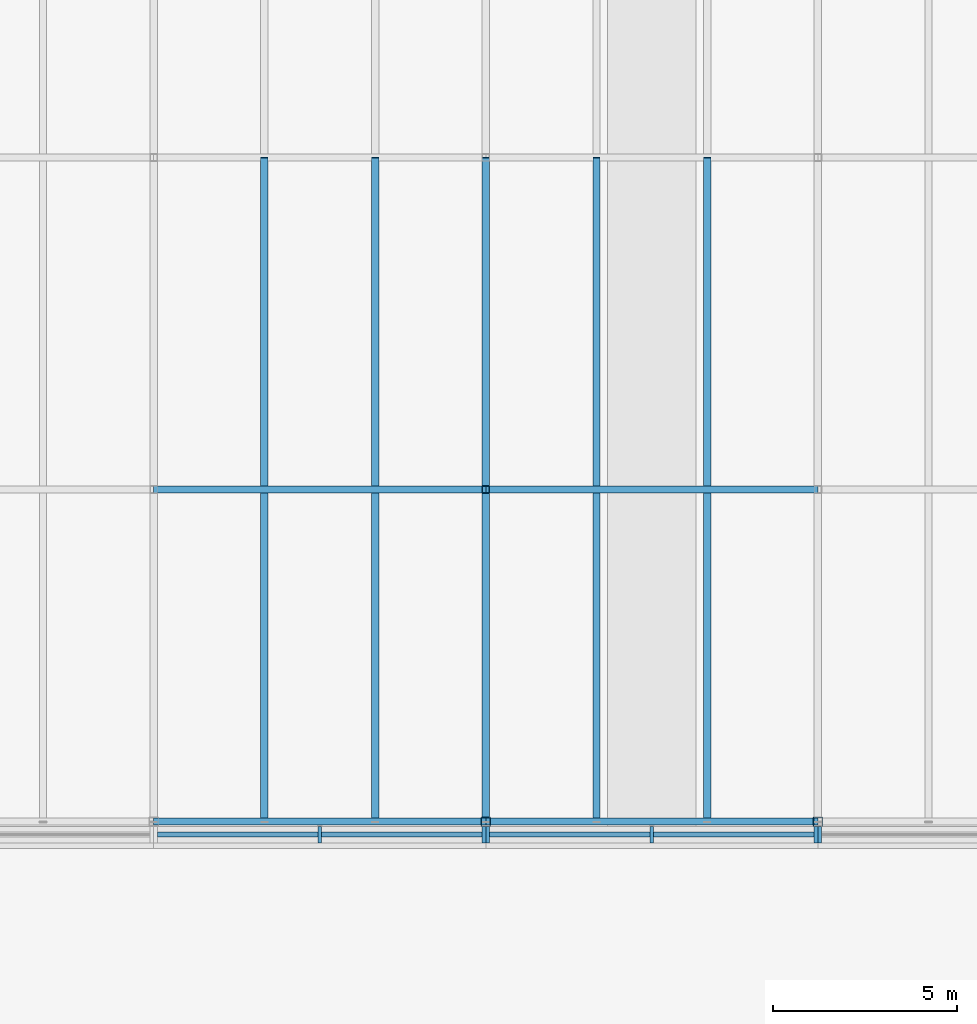
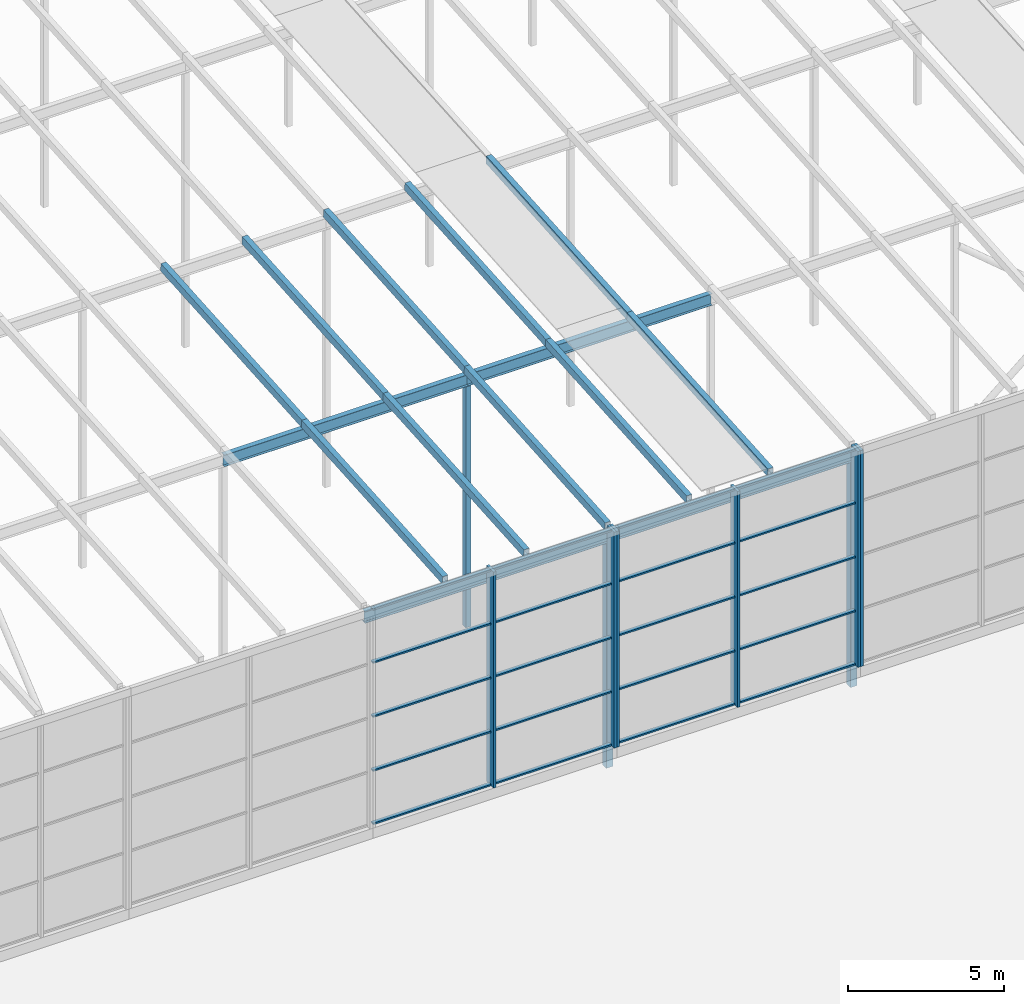
# One storey, part 6 of 84: 39 members, 4 beams, 3 elements without a shape of their own.
"""IFC4 building model written with IfcOpenShell, lengths in metres."""

from ifc_helpers import new_model, si_unit, direction, frame, origin, origin_2d, place, context, subcontext, project, spatial, rectangle, hollow_rectangle, i_section, extrude, material, material_profile, profile_set, type_object, element, aggregate, save


model = new_model("IFC4")

# Units and contexts
model_context = context("Model", 3, precision=1e-05, world=origin(), true_north=direction((0.0, 1.0)))
body_context = subcontext(model_context, "Body", "Model", "MODEL_VIEW")
ifc_project = project(units=[si_unit("LENGTHUNIT", "METRE"), si_unit("AREAUNIT", "SQUARE_METRE"), si_unit("VOLUMEUNIT", "CUBIC_METRE"), si_unit("PLANEANGLEUNIT", "RADIAN"), si_unit("MASSUNIT", "GRAM", prefix="KILO")], contexts=[model_context])

# Site, building, storey
site_placement = place(None, origin())
site = spatial("IfcSite", under=ifc_project, at=site_placement, CompositionType="ELEMENT")
building_placement = place(site_placement, origin())
building = spatial("IfcBuilding", under=site, at=building_placement, Name="Silverbay Arena", CompositionType="ELEMENT")
storey_placement = place(building_placement, frame((0.0, 0.0, 47.10009765625)))
storey = spatial("IfcBuildingStorey", under=building, at=storey_placement, Name="ROOF", CompositionType="ELEMENT", Elevation=47.10009765625)

# Curtain wall, members
ifc_material_1 = material(Name="Aluminium framed glazing", Category="aluminium")
curtain_wall_type = type_object("IfcCurtainWallType", Name="Curtain wall crown 9000 x 8425", PredefinedType="NOTDEFINED", material=ifc_material_1)
curtain_wall_1_placement = place(storey_placement, origin())
curtain_wall_1 = element("IfcCurtainWall", 1, at=curtain_wall_1_placement, inside=storey, type_object=curtain_wall_type, Name="ROOF CROWN CURTAIN WALL south bay 03", PredefinedType="NOTDEFINED")
ifc_material_2 = material(Name="Aluminium", Category="aluminium")
ifc_material_profile_1 = material_profile(ifc_material_2, rectangle(XDim=0.449951171875, YDim=0.10009765625, at=origin_2d()), Name="Mullion 100 x 450")
ifc_profile_set_1 = profile_set([ifc_material_profile_1], Name="Aluminium")
member_type_1 = type_object("IfcMemberType", Name="Mullion 100 x 450", PredefinedType="MULLION", material=ifc_profile_set_1)
placement = place(building_placement, frame((0.0, 0.0, 33.5)))
member_1_placement = place(placement, frame((103.5, 26.64990234375, 14.050048828125), z_axis=(0.0, 0.0, 1.0), x_axis=(0.0, 1.0, 0.0)))
member_1 = element("IfcMember", 2, at=member_1_placement, type_object=member_type_1, Name="CW62 mullion 2", PredefinedType="MULLION", context=body_context, shape_type="SweptSolid", body=[
    extrude(rectangle(XDim=0.449951171875, YDim=0.10009765625, at=origin_2d()), origin(), (0.0, 0.0, 1.0), 8.424560546875),
])
member_2_placement = place(placement, frame((107.949951171875, 26.64990234375, 14.050048828125), z_axis=(0.0, 0.0, 1.0), x_axis=(0.0, 1.0, 0.0)))
member_2 = element("IfcMember", 3, at=member_2_placement, type_object=member_type_1, Name="CW62 mullion 3", PredefinedType="MULLION", context=body_context, shape_type="SweptSolid", body=[
    extrude(rectangle(XDim=0.449951171875, YDim=0.10009765625, at=origin_2d()), origin(), (0.0, 0.0, 1.0), 8.424560546875),
])

curtain_wall_2_placement = place(storey_placement, origin())
curtain_wall_2 = element("IfcCurtainWall", 4, at=curtain_wall_2_placement, inside=storey, type_object=curtain_wall_type, Name="ROOF CROWN CURTAIN WALL south bay 04", PredefinedType="NOTDEFINED")
member_3_placement = place(placement, frame((108.050048828125, 26.64990234375, 14.050048828125), z_axis=(0.0, 0.0, 1.0), x_axis=(0.0, 1.0, 0.0)))
member_3 = element("IfcMember", 5, at=member_3_placement, type_object=member_type_1, Name="CW62 mullion 1", PredefinedType="MULLION", context=body_context, shape_type="SweptSolid", body=[
    extrude(rectangle(XDim=0.449951171875, YDim=0.10009765625, at=origin_2d()), origin(), (0.0, 0.0, 1.0), 8.424560546875),
])
member_4_placement = place(placement, frame((112.5, 26.64990234375, 14.050048828125), z_axis=(0.0, 0.0, 1.0), x_axis=(0.0, 1.0, 0.0)))
member_4 = element("IfcMember", 6, at=member_4_placement, type_object=member_type_1, Name="CW62 mullion 2", PredefinedType="MULLION", context=body_context, shape_type="SweptSolid", body=[
    extrude(rectangle(XDim=0.449951171875, YDim=0.10009765625, at=origin_2d()), origin(), (0.0, 0.0, 1.0), 8.424560546875),
])
member_5_placement = place(placement, frame((116.949951171875, 26.64990234375, 14.050048828125), z_axis=(0.0, 0.0, 1.0), x_axis=(0.0, 1.0, 0.0)))
member_5 = element("IfcMember", 7, at=member_5_placement, type_object=member_type_1, Name="CW62 mullion 3", PredefinedType="MULLION", context=body_context, shape_type="SweptSolid", body=[
    extrude(rectangle(XDim=0.449951171875, YDim=0.10009765625, at=origin_2d()), origin(), (0.0, 0.0, 1.0), 8.424560546875),
])

# Curtain wall, member
curtain_wall_3_placement = place(storey_placement, origin())
curtain_wall_3 = element("IfcCurtainWall", 8, at=curtain_wall_3_placement, inside=storey, type_object=curtain_wall_type, Name="ROOF CROWN CURTAIN WALL south bay 05", PredefinedType="NOTDEFINED")
member_6_placement = place(placement, frame((117.050048828125, 26.64990234375, 14.050048828125), z_axis=(0.0, 0.0, 1.0), x_axis=(0.0, 1.0, 0.0)))
member_6 = element("IfcMember", 9, at=member_6_placement, type_object=member_type_1, Name="CW62 mullion 1", PredefinedType="MULLION", context=body_context, shape_type="SweptSolid", body=[
    extrude(rectangle(XDim=0.449951171875, YDim=0.10009765625, at=origin_2d()), origin(), (0.0, 0.0, 1.0), 8.424560546875),
])
aggregate(curtain_wall_3, [member_6])

# Members
ifc_material_3 = material(Name="Steel S355", Category="steel")
ifc_material_profile_2 = material_profile(ifc_material_3, hollow_rectangle(XDim=0.199951171875, YDim=0.300048828125, WallThickness=0.00634765625, at=origin_2d()), Name="RHS 300x200x6.3")
ifc_profile_set_2 = profile_set([ifc_material_profile_2], Name="Steel S355")
member_type_2 = type_object("IfcMemberType", Name="Purlin RHS 300x200x6.3", PredefinedType="PURLIN", material=ifc_profile_set_2)
for number, where, z_axis, x_axis, name in (
    (10, (102.0, 27.0, 8.74951171875), (0.0, 0.997402911363, 0.072023832195), (-1.0, 0.0, 0.0), "ROOF PURLIN crown line 08 bay 01"),
    (11, (102.0, 36.0, 9.3994140625), (0.0, 0.997400967367, 0.07205074805), (-1.0, 0.0, 0.0), "ROOF PURLIN crown line 08 bay 02"),
    (12, (105.0, 27.0, 8.74951171875), (0.0, 0.997402911363, 0.072023832195), (-1.0, 0.0, 0.0), "ROOF PURLIN crown line 09 bay 01"),
    (13, (105.0, 36.0, 9.3994140625), (0.0, 0.997400967367, 0.07205074805), (-1.0, 0.0, 0.0), "ROOF PURLIN crown line 09 bay 02"),
    (14, (108.0, 27.0, 8.74951171875), (0.0, 0.997402911363, 0.072023832195), (-1.0, 0.0, 0.0), "ROOF PURLIN crown line 10 bay 01"),
    (15, (108.0, 36.0, 9.3994140625), (0.0, 0.997400967367, 0.07205074805), (-1.0, 0.0, 0.0), "ROOF PURLIN crown line 10 bay 02"),
    (16, (111.0, 27.0, 8.74951171875), (0.0, 0.997402911363, 0.072023832195), (-1.0, 0.0, 0.0), "ROOF PURLIN crown line 11 bay 01"),
    (17, (111.0, 36.0, 9.3994140625), (0.0, 0.997400967367, 0.07205074805), (-1.0, 0.0, 0.0), "ROOF PURLIN crown line 11 bay 02"),
    (18, (114.0, 27.0, 8.74951171875), (0.0, 0.997402911363, 0.072023832195), (-1.0, 0.0, 0.0), "ROOF PURLIN crown line 12 bay 01"),
    (19, (114.0, 36.0, 9.3994140625), (0.0, 0.997400967367, 0.07205074805), (-1.0, 0.0, 0.0), "ROOF PURLIN crown line 12 bay 02"),
):
    element("IfcMember", number, at=place(storey_placement, frame(where, z_axis=z_axis, x_axis=x_axis)), inside=storey, type_object=member_type_2, Name=name, PredefinedType="PURLIN", context=body_context, shape_type="SweptSolid", body=[
        extrude(hollow_rectangle(XDim=0.199951171875, YDim=0.300048828125, WallThickness=0.00634765625, at=origin_2d()), origin(), (0.0, 0.0, 1.0), 9.0234375),
    ])

# Beams
ifc_material_4 = material(Name="Steel S355", Category="steel")
ifc_material_profile_3 = material_profile(ifc_material_4, i_section(OverallWidth=0.18994140625, OverallDepth=0.453369140625, WebThickness=0.008544921875, FlangeThickness=0.0126953125, at=origin_2d()), Name="UB 457x191x67")
ifc_profile_set_3 = profile_set([ifc_material_profile_3], Name="Steel S355")
beam_type = type_object("IfcBeamType", Name="Ring beam UB 457x191x67", PredefinedType="BEAM", material=ifc_profile_set_3)
for number, where, z_axis, x_axis, name in (
    (20, (99.0, 27.0, 8.372314453125), (1.0, 0.0, 0.0), (0.0, 1.0, 0.0), "RING BEAM crown row 01 12-13"),
    (21, (108.0, 27.0, 8.372314453125), (1.0, 0.0, 0.0), (0.0, 1.0, 0.0), "RING BEAM crown row 01 13-14"),
    (22, (99.0, 36.0, 9.0224609375), (1.0, 0.0, 0.0), (0.0, 1.0, 0.0), "RING BEAM crown row 02 12-13"),
    (23, (108.0, 36.0, 9.0224609375), (1.0, 0.0, 0.0), (0.0, 1.0, 0.0), "RING BEAM crown row 02 13-14"),
):
    element("IfcBeam", number, at=place(storey_placement, frame(where, z_axis=z_axis, x_axis=x_axis)), inside=storey, type_object=beam_type, Name=name, PredefinedType="BEAM", context=body_context, shape_type="SweptSolid", body=[
        extrude(i_section(OverallWidth=0.18994140625, OverallDepth=0.453369140625, WebThickness=0.008544921875, FlangeThickness=0.0126953125, at=origin_2d()), origin(), (0.0, 0.0, 1.0), 9.0),
    ])

# Members
ifc_material_5 = material(Name="Steel S355", Category="steel")
ifc_material_profile_4 = material_profile(ifc_material_5, hollow_rectangle(XDim=0.199951171875, YDim=0.199951171875, WallThickness=0.008056640625, at=origin_2d()), Name="SHS 200x200x8")
ifc_profile_set_4 = profile_set([ifc_material_profile_4], Name="Steel S355")
member_type_3 = type_object("IfcMemberType", Name="Roof post SHS 200x200x8", PredefinedType="POST", material=ifc_profile_set_4)
member_7_placement = place(storey_placement, frame((108.0, 36.0, -0.60009765625), z_axis=(0.0, 0.0, 1.0), x_axis=(1.0, 0.0, 0.0)))
element("IfcMember", 24, at=member_7_placement, inside=storey, type_object=member_type_3, Name="ROOF CROWN POST 13 row 02", PredefinedType="POST", context=body_context, shape_type="SweptSolid", body=[
    extrude(hollow_rectangle(XDim=0.199951171875, YDim=0.199951171875, WallThickness=0.008056640625, at=origin_2d()), origin(), (0.0, 0.0, 1.0), 9.395751953125),
])
ifc_material_6 = material(Name="Steel S355", Category="steel")
ifc_material_profile_5 = material_profile(ifc_material_6, hollow_rectangle(XDim=0.25, YDim=0.25, WallThickness=0.008056640625, at=origin_2d()), Name="SHS 250x250x8")
ifc_profile_set_5 = profile_set([ifc_material_profile_5], Name="Steel S355")
member_type_4 = type_object("IfcMemberType", Name="Roof post SHS 250x250x8", PredefinedType="POST", material=ifc_profile_set_5)
for number, where, z_axis, x_axis, name in (
    (25, (108.0, 27.0, -0.60009765625), (0.0, 0.0, 1.0), (1.0, 0.0, 0.0), "ROOF CROWN POST 13 row 01"),
    (26, (117.0, 27.0, -0.60009765625), (0.0, 0.0, 1.0), (1.0, 0.0, 0.0), "ROOF CROWN POST 14 row 01"),
):
    element("IfcMember", number, at=place(storey_placement, frame(where, z_axis=z_axis, x_axis=x_axis)), inside=storey, type_object=member_type_4, Name=name, PredefinedType="POST", context=body_context, shape_type="SweptSolid", body=[
        extrude(hollow_rectangle(XDim=0.25, YDim=0.25, WallThickness=0.008056640625, at=origin_2d()), origin(), (0.0, 0.0, 1.0), 8.745849609375),
    ])

# Member
ifc_material_7 = material(Name="Aluminium", Category="aluminium")
ifc_material_profile_6 = material_profile(ifc_material_7, rectangle(XDim=0.139892578125, YDim=0.06005859375, at=origin_2d()), Name="Transom 60 x 140")
ifc_profile_set_6 = profile_set([ifc_material_profile_6], Name="Aluminium")
member_type_5 = type_object("IfcMemberType", Name="Transom 60 x 140", PredefinedType="USERDEFINED", material=ifc_profile_set_6)
member_8_placement = place(placement, frame((99.10009765625, 26.64990234375, 14.080078125), z_axis=(1.0, 0.0, 0.0), x_axis=(0.0, 1.0, 0.0)))
member_8 = element("IfcMember", 27, at=member_8_placement, type_object=member_type_5, Name="CW62 transom 1.1", ObjectType="TRANSOM", PredefinedType="USERDEFINED", context=body_context, shape_type="SweptSolid", body=[
    extrude(rectangle(XDim=0.139892578125, YDim=0.06005859375, at=origin_2d()), origin(), (0.0, 0.0, 1.0), 4.349853515625),
])

member_9_placement = place(placement, frame((99.10009765625, 26.64990234375, 16.15625), z_axis=(1.0, 0.0, 0.0), x_axis=(0.0, 1.0, 0.0)))
member_9 = element("IfcMember", 28, at=member_9_placement, type_object=member_type_5, Name="CW62 transom 1.2", ObjectType="TRANSOM", PredefinedType="USERDEFINED", context=body_context, shape_type="SweptSolid", body=[
    extrude(rectangle(XDim=0.139892578125, YDim=0.06005859375, at=origin_2d()), origin(), (0.0, 0.0, 1.0), 4.349853515625),
])

member_10_placement = place(placement, frame((99.10009765625, 26.64990234375, 18.262451171875), z_axis=(1.0, 0.0, 0.0), x_axis=(0.0, 1.0, 0.0)))
member_10 = element("IfcMember", 29, at=member_10_placement, type_object=member_type_5, Name="CW62 transom 1.3", ObjectType="TRANSOM", PredefinedType="USERDEFINED", context=body_context, shape_type="SweptSolid", body=[
    extrude(rectangle(XDim=0.139892578125, YDim=0.06005859375, at=origin_2d()), origin(), (0.0, 0.0, 1.0), 4.349853515625),
])

member_11_placement = place(placement, frame((99.10009765625, 26.64990234375, 20.36865234375), z_axis=(1.0, 0.0, 0.0), x_axis=(0.0, 1.0, 0.0)))
member_11 = element("IfcMember", 30, at=member_11_placement, type_object=member_type_5, Name="CW62 transom 1.4", ObjectType="TRANSOM", PredefinedType="USERDEFINED", context=body_context, shape_type="SweptSolid", body=[
    extrude(rectangle(XDim=0.139892578125, YDim=0.06005859375, at=origin_2d()), origin(), (0.0, 0.0, 1.0), 4.349853515625),
])

member_12_placement = place(placement, frame((99.10009765625, 26.64990234375, 22.44482421875), z_axis=(1.0, 0.0, 0.0), x_axis=(0.0, 1.0, 0.0)))
member_12 = element("IfcMember", 31, at=member_12_placement, type_object=member_type_5, Name="CW62 transom 1.5", ObjectType="TRANSOM", PredefinedType="USERDEFINED", context=body_context, shape_type="SweptSolid", body=[
    extrude(rectangle(XDim=0.139892578125, YDim=0.06005859375, at=origin_2d()), origin(), (0.0, 0.0, 1.0), 4.349853515625),
])

member_13_placement = place(placement, frame((103.550048828125, 26.64990234375, 14.080078125), z_axis=(1.0, 0.0, 0.0), x_axis=(0.0, 1.0, 0.0)))
member_13 = element("IfcMember", 32, at=member_13_placement, type_object=member_type_5, Name="CW62 transom 2.1", ObjectType="TRANSOM", PredefinedType="USERDEFINED", context=body_context, shape_type="SweptSolid", body=[
    extrude(rectangle(XDim=0.139892578125, YDim=0.06005859375, at=origin_2d()), origin(), (0.0, 0.0, 1.0), 4.349853515625),
])

member_14_placement = place(placement, frame((103.550048828125, 26.64990234375, 16.15625), z_axis=(1.0, 0.0, 0.0), x_axis=(0.0, 1.0, 0.0)))
member_14 = element("IfcMember", 33, at=member_14_placement, type_object=member_type_5, Name="CW62 transom 2.2", ObjectType="TRANSOM", PredefinedType="USERDEFINED", context=body_context, shape_type="SweptSolid", body=[
    extrude(rectangle(XDim=0.139892578125, YDim=0.06005859375, at=origin_2d()), origin(), (0.0, 0.0, 1.0), 4.349853515625),
])

member_15_placement = place(placement, frame((103.550048828125, 26.64990234375, 18.262451171875), z_axis=(1.0, 0.0, 0.0), x_axis=(0.0, 1.0, 0.0)))
member_15 = element("IfcMember", 34, at=member_15_placement, type_object=member_type_5, Name="CW62 transom 2.3", ObjectType="TRANSOM", PredefinedType="USERDEFINED", context=body_context, shape_type="SweptSolid", body=[
    extrude(rectangle(XDim=0.139892578125, YDim=0.06005859375, at=origin_2d()), origin(), (0.0, 0.0, 1.0), 4.349853515625),
])

member_16_placement = place(placement, frame((103.550048828125, 26.64990234375, 20.36865234375), z_axis=(1.0, 0.0, 0.0), x_axis=(0.0, 1.0, 0.0)))
member_16 = element("IfcMember", 35, at=member_16_placement, type_object=member_type_5, Name="CW62 transom 2.4", ObjectType="TRANSOM", PredefinedType="USERDEFINED", context=body_context, shape_type="SweptSolid", body=[
    extrude(rectangle(XDim=0.139892578125, YDim=0.06005859375, at=origin_2d()), origin(), (0.0, 0.0, 1.0), 4.349853515625),
])

member_17_placement = place(placement, frame((103.550048828125, 26.64990234375, 22.44482421875), z_axis=(1.0, 0.0, 0.0), x_axis=(0.0, 1.0, 0.0)))
member_17 = element("IfcMember", 36, at=member_17_placement, type_object=member_type_5, Name="CW62 transom 2.5", ObjectType="TRANSOM", PredefinedType="USERDEFINED", context=body_context, shape_type="SweptSolid", body=[
    extrude(rectangle(XDim=0.139892578125, YDim=0.06005859375, at=origin_2d()), origin(), (0.0, 0.0, 1.0), 4.349853515625),
])

aggregate(curtain_wall_1, [member_1, member_2, member_8, member_9, member_10, member_11, member_12, member_13, member_14, member_15, member_16, member_17])

member_18_placement = place(placement, frame((108.10009765625, 26.64990234375, 14.080078125), z_axis=(1.0, 0.0, 0.0), x_axis=(0.0, 1.0, 0.0)))
member_18 = element("IfcMember", 37, at=member_18_placement, type_object=member_type_5, Name="CW62 transom 1.1", ObjectType="TRANSOM", PredefinedType="USERDEFINED", context=body_context, shape_type="SweptSolid", body=[
    extrude(rectangle(XDim=0.139892578125, YDim=0.06005859375, at=origin_2d()), origin(), (0.0, 0.0, 1.0), 4.349853515625),
])

member_19_placement = place(placement, frame((108.10009765625, 26.64990234375, 16.15625), z_axis=(1.0, 0.0, 0.0), x_axis=(0.0, 1.0, 0.0)))
member_19 = element("IfcMember", 38, at=member_19_placement, type_object=member_type_5, Name="CW62 transom 1.2", ObjectType="TRANSOM", PredefinedType="USERDEFINED", context=body_context, shape_type="SweptSolid", body=[
    extrude(rectangle(XDim=0.139892578125, YDim=0.06005859375, at=origin_2d()), origin(), (0.0, 0.0, 1.0), 4.349853515625),
])

member_20_placement = place(placement, frame((108.10009765625, 26.64990234375, 18.262451171875), z_axis=(1.0, 0.0, 0.0), x_axis=(0.0, 1.0, 0.0)))
member_20 = element("IfcMember", 39, at=member_20_placement, type_object=member_type_5, Name="CW62 transom 1.3", ObjectType="TRANSOM", PredefinedType="USERDEFINED", context=body_context, shape_type="SweptSolid", body=[
    extrude(rectangle(XDim=0.139892578125, YDim=0.06005859375, at=origin_2d()), origin(), (0.0, 0.0, 1.0), 4.349853515625),
])

member_21_placement = place(placement, frame((108.10009765625, 26.64990234375, 20.36865234375), z_axis=(1.0, 0.0, 0.0), x_axis=(0.0, 1.0, 0.0)))
member_21 = element("IfcMember", 40, at=member_21_placement, type_object=member_type_5, Name="CW62 transom 1.4", ObjectType="TRANSOM", PredefinedType="USERDEFINED", context=body_context, shape_type="SweptSolid", body=[
    extrude(rectangle(XDim=0.139892578125, YDim=0.06005859375, at=origin_2d()), origin(), (0.0, 0.0, 1.0), 4.349853515625),
])

member_22_placement = place(placement, frame((108.10009765625, 26.64990234375, 22.44482421875), z_axis=(1.0, 0.0, 0.0), x_axis=(0.0, 1.0, 0.0)))
member_22 = element("IfcMember", 41, at=member_22_placement, type_object=member_type_5, Name="CW62 transom 1.5", ObjectType="TRANSOM", PredefinedType="USERDEFINED", context=body_context, shape_type="SweptSolid", body=[
    extrude(rectangle(XDim=0.139892578125, YDim=0.06005859375, at=origin_2d()), origin(), (0.0, 0.0, 1.0), 4.349853515625),
])

member_23_placement = place(placement, frame((112.550048828125, 26.64990234375, 14.080078125), z_axis=(1.0, 0.0, 0.0), x_axis=(0.0, 1.0, 0.0)))
member_23 = element("IfcMember", 42, at=member_23_placement, type_object=member_type_5, Name="CW62 transom 2.1", ObjectType="TRANSOM", PredefinedType="USERDEFINED", context=body_context, shape_type="SweptSolid", body=[
    extrude(rectangle(XDim=0.139892578125, YDim=0.06005859375, at=origin_2d()), origin(), (0.0, 0.0, 1.0), 4.349853515625),
])

member_24_placement = place(placement, frame((112.550048828125, 26.64990234375, 16.15625), z_axis=(1.0, 0.0, 0.0), x_axis=(0.0, 1.0, 0.0)))
member_24 = element("IfcMember", 43, at=member_24_placement, type_object=member_type_5, Name="CW62 transom 2.2", ObjectType="TRANSOM", PredefinedType="USERDEFINED", context=body_context, shape_type="SweptSolid", body=[
    extrude(rectangle(XDim=0.139892578125, YDim=0.06005859375, at=origin_2d()), origin(), (0.0, 0.0, 1.0), 4.349853515625),
])

member_25_placement = place(placement, frame((112.550048828125, 26.64990234375, 18.262451171875), z_axis=(1.0, 0.0, 0.0), x_axis=(0.0, 1.0, 0.0)))
member_25 = element("IfcMember", 44, at=member_25_placement, type_object=member_type_5, Name="CW62 transom 2.3", ObjectType="TRANSOM", PredefinedType="USERDEFINED", context=body_context, shape_type="SweptSolid", body=[
    extrude(rectangle(XDim=0.139892578125, YDim=0.06005859375, at=origin_2d()), origin(), (0.0, 0.0, 1.0), 4.349853515625),
])

member_26_placement = place(placement, frame((112.550048828125, 26.64990234375, 20.36865234375), z_axis=(1.0, 0.0, 0.0), x_axis=(0.0, 1.0, 0.0)))
member_26 = element("IfcMember", 45, at=member_26_placement, type_object=member_type_5, Name="CW62 transom 2.4", ObjectType="TRANSOM", PredefinedType="USERDEFINED", context=body_context, shape_type="SweptSolid", body=[
    extrude(rectangle(XDim=0.139892578125, YDim=0.06005859375, at=origin_2d()), origin(), (0.0, 0.0, 1.0), 4.349853515625),
])

member_27_placement = place(placement, frame((112.550048828125, 26.64990234375, 22.44482421875), z_axis=(1.0, 0.0, 0.0), x_axis=(0.0, 1.0, 0.0)))
member_27 = element("IfcMember", 46, at=member_27_placement, type_object=member_type_5, Name="CW62 transom 2.5", ObjectType="TRANSOM", PredefinedType="USERDEFINED", context=body_context, shape_type="SweptSolid", body=[
    extrude(rectangle(XDim=0.139892578125, YDim=0.06005859375, at=origin_2d()), origin(), (0.0, 0.0, 1.0), 4.349853515625),
])

aggregate(curtain_wall_2, [member_3, member_4, member_5, member_18, member_19, member_20, member_21, member_22, member_23, member_24, member_25, member_26, member_27])

save(model, "model.ifc")
